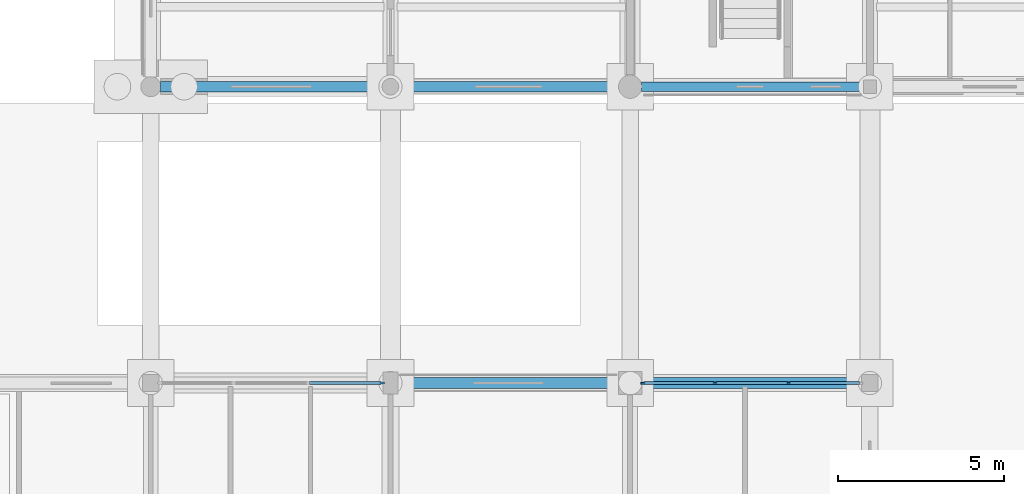
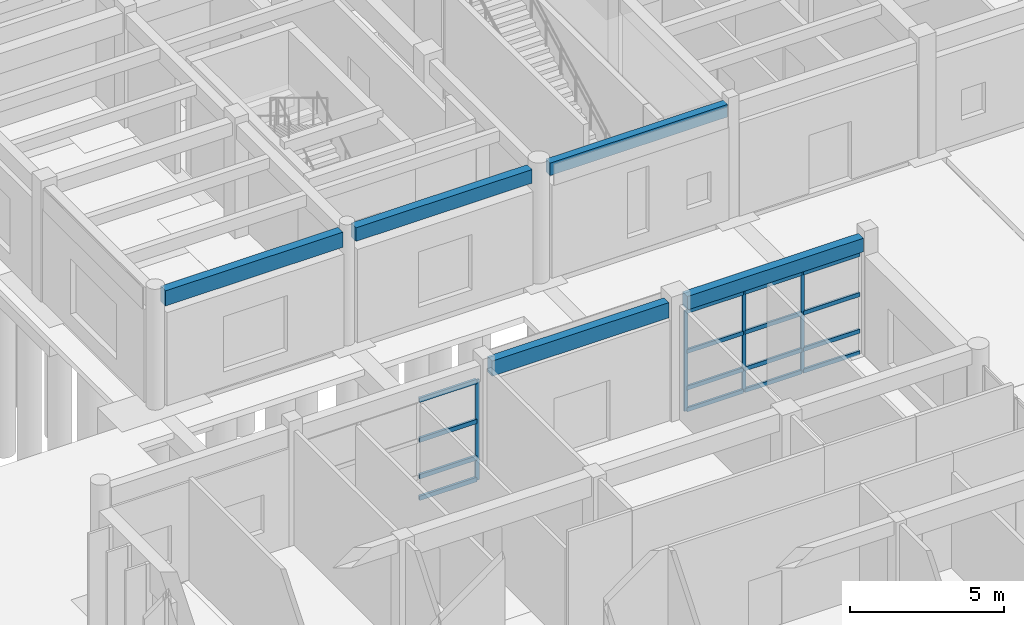
# One storey, part 36 of 143: 20 members, 5 beams, 2 elements without a shape of their own.
"""IFC4 building model written with IfcOpenShell, lengths in metres."""

import ifcopenshell
import ifcopenshell.guid

model = None  # the IFC model being written
_history = None  # IfcOwnerHistory: only IFC2X3 demands one
_inside = {}  # id of a spatial element -> (the spatial element, [elements in it])
_under = {}  # id of a project, library or spatial element -> (it, [spatial elements below it])
_declared = {}  # id of a project -> (the project, [libraries it declares])
_typed = {}  # id of a type object -> (the type object, [elements of that type])
_made_of = {}  # id of a material, layer set ... -> (it, [elements and type objects made of it])


def new_model(schema):
    """Start an empty IFC model of exactly this schema.

    Asked for "IFC4X3", IfcOpenShell would pick the latest addendum, in which some entities
    have other attributes; the version numbers below select the first issue.
    IFC2X3 requires an IfcOwnerHistory on every rooted entity: one is made here for all.
    """
    global model, _history
    if schema == "IFC4X3":
        model = ifcopenshell.file(schema_version=(4, 3, 0, 0))
    else:
        model = ifcopenshell.file(schema=schema)
    _inside.clear()
    _under.clear()
    _declared.clear()
    _typed.clear()
    _made_of.clear()
    _history = None
    if model.schema == "IFC2X3":
        org = make("IfcOrganization", Name="unknown")
        user = make(
            "IfcPersonAndOrganization",
            ThePerson=make("IfcPerson", FamilyName="unknown"),
            TheOrganization=org,
        )
        app = make(
            "IfcApplication",
            ApplicationDeveloper=org,
            Version="unknown",
            ApplicationFullName="unknown",
            ApplicationIdentifier="unknown",
        )
        _history = make(
            "IfcOwnerHistory",
            OwningUser=user,
            OwningApplication=app,
            ChangeAction="ADDED",
            CreationDate=0,
        )
    return model


def make(cls, **values):
    """One entity of the class cls with the attributes given. An attribute that is None is left unset."""
    return model.create_entity(
        cls, **{name: value for name, value in values.items() if value is not None}
    )


def rooted(cls, **values):
    """An entity with a GlobalId (a new one), such as an element, a storey or a relation."""
    return make(cls, GlobalId=ifcopenshell.guid.new(), OwnerHistory=_history, **values)


def si_unit(unit_type, name, prefix=None):
    """IfcSIUnit, for example si_unit("LENGTHUNIT", "METRE", prefix="MILLI")."""
    return make("IfcSIUnit", UnitType=unit_type, Prefix=prefix, Name=name)


def assignment(units):
    """IfcUnitAssignment: the units of a project."""
    return None if units is None else make("IfcUnitAssignment", Units=units)


def point(xyz):
    """IfcCartesianPoint."""
    return None if xyz is None else make("IfcCartesianPoint", Coordinates=xyz)


def direction(xyz):
    """IfcDirection."""
    return None if xyz is None else make("IfcDirection", DirectionRatios=xyz)


def frame(location, z_axis=None, x_axis=None):
    """IfcAxis2Placement3D, a coordinate frame: its origin and axes. An axis left out is left unset."""
    return make(
        "IfcAxis2Placement3D",
        Location=point(location),
        Axis=direction(z_axis),
        RefDirection=direction(x_axis),
    )


def frame_2d(location, x_axis=None):
    """IfcAxis2Placement2D, a coordinate frame in the plane: its origin and x axis."""
    return make(
        "IfcAxis2Placement2D", Location=point(location), RefDirection=direction(x_axis)
    )


def origin():
    """The frame at (0, 0, 0) with its axes left unset."""
    return frame((0.0, 0.0, 0.0))


def origin_2d():
    """The frame at (0, 0) in the plane with its x axis left unset."""
    return frame_2d((0.0, 0.0))


def place(relative_to, where):
    """IfcLocalPlacement: puts the frame where relative to a parent placement (None: the world)."""
    return make(
        "IfcLocalPlacement", PlacementRelTo=relative_to, RelativePlacement=where
    )


def context(
    kind, dimensions, precision=None, world=None, true_north=None, identifier=None
):
    """IfcGeometricRepresentationContext, for example the 3D "Model" context."""
    return make(
        "IfcGeometricRepresentationContext",
        ContextIdentifier=identifier,
        ContextType=kind,
        CoordinateSpaceDimension=dimensions,
        Precision=precision,
        WorldCoordinateSystem=world,
        TrueNorth=true_north,
    )


def subcontext(parent, identifier, kind, view, scale=None):
    """IfcGeometricRepresentationSubContext, for example "Body" below "Model"."""
    return make(
        "IfcGeometricRepresentationSubContext",
        ContextIdentifier=identifier,
        ContextType=kind,
        ParentContext=parent,
        TargetScale=scale,
        TargetView=view,
    )


def project(units=None, contexts=None):
    """IfcProject with its units and contexts."""
    return rooted(
        "IfcProject",
        Name="project",
        RepresentationContexts=contexts,
        UnitsInContext=assignment(units),
    )


def spatial(cls, under=None, at=None, **own):
    """A site, building, storey or space (cls), placed at a placement, below another one or the project."""
    s = rooted(cls, ObjectPlacement=at, **own)
    if under is not None:
        _under.setdefault(under.id(), (under, []))[1].append(s)
    return s


def profile(cls, at=None, kind="AREA", **sizes):
    """A parametric profile (cls). Its sizes go by their IFC names, for example OverallWidth=200.0."""
    return make(cls, ProfileType=kind, Position=at, **sizes)


def rectangle(**sizes):
    """IfcRectangleProfileDef."""
    return profile("IfcRectangleProfileDef", **sizes)


def extrude(swept, where, along, depth):
    """IfcExtrudedAreaSolid: the profile swept, set in the frame where, extruded along a direction by depth."""
    return make(
        "IfcExtrudedAreaSolid",
        SweptArea=swept,
        Position=where,
        ExtrudedDirection=direction(along),
        Depth=depth,
    )


def shape(context_of_items, identifier, shape_type, items):
    """IfcShapeRepresentation: the items that make up one representation, for example the "Body"."""
    return make(
        "IfcShapeRepresentation",
        ContextOfItems=context_of_items,
        RepresentationIdentifier=identifier,
        RepresentationType=shape_type,
        Items=items,
    )


def material(Name=None, Category=None):
    """IfcMaterial."""
    return make("IfcMaterial", Name=Name, Category=Category)


def material_profile(
    of_material, cross_section, Name=None, Category=None, Priority=None
):
    """IfcMaterialProfile: a cross section and its material."""
    return make(
        "IfcMaterialProfile",
        Name=Name,
        Material=of_material,
        Profile=cross_section,
        Priority=Priority,
        Category=Category,
    )


def profile_set(profiles, Name=None, composite=None):
    """IfcMaterialProfileSet."""
    return make(
        "IfcMaterialProfileSet",
        Name=Name,
        MaterialProfiles=profiles,
        CompositeProfile=composite,
    )


def made_of(thing, what):
    """Note that an element or type object is made of a material, layer set ...; save() writes the relation."""
    if what is not None:
        _made_of.setdefault(what.id(), (what, []))[1].append(thing)
    return thing


def type_object(cls, material=None, **own):
    """A type object (cls), such as IfcWallType, which elements share."""
    return made_of(rooted(cls, **own), material)


def element(
    cls,
    number,
    at=None,
    inside=None,
    cuts=None,
    type_object=None,
    material=None,
    context=None,
    identifier="Body",
    shape_type=None,
    held_by="IfcProductDefinitionShape",
    body=None,
    shapes=None,
    **own,
):
    """One element of the class cls, such as IfcWall. Its Tag is "e" and its number.

    at: its placement. inside: the storey or other place that contains it. cuts: it is an
    opening in that element (IfcRelVoidsElement). A single representation is given by context,
    identifier, shape_type and body (its items); several are given by shapes. held_by: the class
    of the entity that holds the representations. save() writes the other relations.
    """
    e = rooted(cls, Tag="e%d" % number, ObjectPlacement=at, **own)
    if body is not None:
        shapes = [shape(context, identifier, shape_type, body)]
    if shapes is not None:
        e.Representation = make(held_by, Representations=shapes)
    if inside is not None:
        _inside.setdefault(inside.id(), (inside, []))[1].append(e)
    if cuts is not None:
        rooted(
            "IfcRelVoidsElement", RelatingBuildingElement=cuts, RelatedOpeningElement=e
        )
    if type_object is not None:
        _typed.setdefault(type_object.id(), (type_object, []))[1].append(e)
    return made_of(e, material)


def aggregate(whole, parts):
    """IfcRelAggregates: a whole, such as a stair, and the parts it consists of."""
    return rooted("IfcRelAggregates", RelatingObject=whole, RelatedObjects=parts)


def save(model, path):
    """Write the relations noted so far, then the file.

    IfcRelAggregates (storeys below a building ...), IfcRelContainedInSpatialStructure (elements
    in a storey), IfcRelDefinesByType, IfcRelAssociatesMaterial and IfcRelDeclares: one each for
    every whole, place, type object, material and project.
    """
    for whole, parts in _under.values():
        aggregate(whole, parts)
    for where, things in _inside.values():
        rooted(
            "IfcRelContainedInSpatialStructure",
            RelatedElements=things,
            RelatingStructure=where,
        )
    for kind, things in _typed.values():
        rooted("IfcRelDefinesByType", RelatedObjects=things, RelatingType=kind)
    for what, things in _made_of.values():
        rooted("IfcRelAssociatesMaterial", RelatedObjects=things, RelatingMaterial=what)
    for by, libraries in _declared.values():
        rooted("IfcRelDeclares", RelatingContext=by, RelatedDefinitions=libraries)
    model.write(path)


model = new_model("IFC4")

# Units and contexts
model_context = context("Model", 3, precision=1e-05, world=origin(), true_north=direction((0.0, 1.0)))
body_context = subcontext(model_context, "Body", "Model", "MODEL_VIEW")
ifc_project = project(units=[si_unit("LENGTHUNIT", "METRE"), si_unit("AREAUNIT", "SQUARE_METRE"), si_unit("VOLUMEUNIT", "CUBIC_METRE"), si_unit("PLANEANGLEUNIT", "RADIAN"), si_unit("MASSUNIT", "GRAM", prefix="KILO")], contexts=[model_context])

# Site, building, storey
site_placement = place(None, origin())
site = spatial("IfcSite", under=ifc_project, at=site_placement, CompositionType="ELEMENT")
building_placement = place(site_placement, origin())
building = spatial("IfcBuilding", under=site, at=building_placement, Name="Steenspoor Specialist Clinic", CompositionType="ELEMENT")
storey_placement = place(building_placement, origin())
storey = spatial("IfcBuildingStorey", under=building, at=storey_placement, Name="L00", CompositionType="ELEMENT", Elevation=0.0)

# Curtain wall, members
ifc_material_1 = material(Name="Thermally broken aluminium and low-emissivity glass", Category="aluminium")
curtain_wall_type_1 = type_object("IfcCurtainWallType", Name="CW-TYP-240X355", PredefinedType="USERDEFINED", material=ifc_material_1)
curtain_wall_1_placement = place(storey_placement, origin())
curtain_wall_1 = element("IfcCurtainWall", 1, at=curtain_wall_1_placement, inside=storey, type_object=curtain_wall_type_1, Name="Unitised Curtain Wall CW-V3-L00-040", ObjectType="UNITISED GLAZING", PredefinedType="USERDEFINED")
ifc_material_2 = material(Name="Thermally broken aluminium 6063-T6", Category="aluminium")
ifc_material_profile_1 = material_profile(ifc_material_2, rectangle(XDim=0.06005859375, YDim=0.135009765625, at=origin_2d()), Name="CWM-60X135")
ifc_profile_set_1 = profile_set([ifc_material_profile_1], Name="Thermally broken aluminium 6063-T6")
member_type_1 = type_object("IfcMemberType", Name="CW-MULL-60X135", PredefinedType="MULLION", material=ifc_profile_set_1)
member_1_placement = place(storey_placement, frame((30.3798828125, 56.25, 0.0), z_axis=(0.0, 0.0, 1.0), x_axis=(0.0, 1.0, 0.0)))
member_1 = element("IfcMember", 2, at=member_1_placement, type_object=member_type_1, Name="CW-16 mullion 1", PredefinedType="MULLION", context=body_context, shape_type="SweptSolid", body=[
    extrude(rectangle(XDim=0.06005859375, YDim=0.135009765625, at=origin_2d()), origin(), (0.0, 0.0, 1.0), 3.97998046875),
])
member_2_placement = place(storey_placement, frame((32.550048828125, 56.25, 0.0), z_axis=(0.0, 0.0, 1.0), x_axis=(0.0, 1.0, 0.0)))
member_2 = element("IfcMember", 3, at=member_2_placement, type_object=member_type_1, Name="CW-16 mullion 2", PredefinedType="MULLION", context=body_context, shape_type="SweptSolid", body=[
    extrude(rectangle(XDim=0.06005859375, YDim=0.135009765625, at=origin_2d()), origin(), (0.0, 0.0, 1.0), 3.97998046875),
])
member_3_placement = place(storey_placement, frame((34.75, 56.25, 0.0), z_axis=(0.0, 0.0, 1.0), x_axis=(0.0, 1.0, 0.0)))
member_3 = element("IfcMember", 4, at=member_3_placement, type_object=member_type_1, Name="CW-16 mullion 3", PredefinedType="MULLION", context=body_context, shape_type="SweptSolid", body=[
    extrude(rectangle(XDim=0.06005859375, YDim=0.135009765625, at=origin_2d()), origin(), (0.0, 0.0, 1.0), 3.97998046875),
])

# Curtain wall, member
curtain_wall_type_2 = type_object("IfcCurtainWallType", Name="CW-TYP-300X355", PredefinedType="USERDEFINED", material=ifc_material_1)
curtain_wall_2_placement = place(storey_placement, origin())
curtain_wall_2 = element("IfcCurtainWall", 5, at=curtain_wall_2_placement, inside=storey, type_object=curtain_wall_type_2, Name="Unitised Curtain Wall CW-V3-L00-039", ObjectType="UNITISED GLAZING", PredefinedType="USERDEFINED")
ifc_material_profile_2 = material_profile(ifc_material_2, rectangle(XDim=0.06494140625, YDim=0.14990234375, at=origin_2d()), Name="CWM-65X150")
ifc_profile_set_2 = profile_set([ifc_material_profile_2], Name="Thermally broken aluminium 6063-T6")
member_type_2 = type_object("IfcMemberType", Name="CW-MULL-65X150", PredefinedType="MULLION", material=ifc_profile_set_2)
member_4_placement = place(storey_placement, frame((22.54248046875, 56.25, 0.0), z_axis=(0.0, 0.0, 1.0), x_axis=(0.0, 1.0, 0.0)))
member_4 = element("IfcMember", 6, at=member_4_placement, type_object=member_type_2, Name="CW-15 mullion 4", PredefinedType="MULLION", context=body_context, shape_type="SweptSolid", body=[
    extrude(rectangle(XDim=0.06494140625, YDim=0.14990234375, at=origin_2d()), origin(), (0.0, 0.0, 1.0), 3.97998046875),
])

# Member
ifc_material_profile_3 = material_profile(ifc_material_2, rectangle(XDim=0.080078125, YDim=0.159912109375, at=origin_2d()), Name="CWT-80X160")
ifc_profile_set_3 = profile_set([ifc_material_profile_3], Name="Thermally broken aluminium 6063-T6")
member_type_3 = type_object("IfcMemberType", Name="CW-TRAN-80X160", PredefinedType="USERDEFINED", material=ifc_profile_set_3)
member_5_placement = place(storey_placement, frame((30.409912109375, 56.25, 0.0400390625), z_axis=(1.0, 0.0, 0.0), x_axis=(0.0, 1.0, 0.0)))
member_5 = element("IfcMember", 7, at=member_5_placement, type_object=member_type_3, Name="CW-16 transom 1.1", ObjectType="TRANSOM", PredefinedType="USERDEFINED", context=body_context, shape_type="SweptSolid", body=[
    extrude(rectangle(XDim=0.080078125, YDim=0.159912109375, at=origin_2d()), origin(), (0.0, 0.0, 1.0), 2.110107421875),
])

member_6_placement = place(storey_placement, frame((30.409912109375, 56.25, 0.89990234375), z_axis=(1.0, 0.0, 0.0), x_axis=(0.0, 1.0, 0.0)))
member_6 = element("IfcMember", 8, at=member_6_placement, type_object=member_type_3, Name="CW-16 transom 1.2", ObjectType="TRANSOM", PredefinedType="USERDEFINED", context=body_context, shape_type="SweptSolid", body=[
    extrude(rectangle(XDim=0.080078125, YDim=0.159912109375, at=origin_2d()), origin(), (0.0, 0.0, 1.0), 2.110107421875),
])

member_7_placement = place(storey_placement, frame((30.409912109375, 56.25, 2.35009765625), z_axis=(1.0, 0.0, 0.0), x_axis=(0.0, 1.0, 0.0)))
member_7 = element("IfcMember", 9, at=member_7_placement, type_object=member_type_3, Name="CW-16 transom 1.3", ObjectType="TRANSOM", PredefinedType="USERDEFINED", context=body_context, shape_type="SweptSolid", body=[
    extrude(rectangle(XDim=0.080078125, YDim=0.159912109375, at=origin_2d()), origin(), (0.0, 0.0, 1.0), 2.110107421875),
])

member_8_placement = place(storey_placement, frame((30.409912109375, 56.25, 3.93994140625), z_axis=(1.0, 0.0, 0.0), x_axis=(0.0, 1.0, 0.0)))
member_8 = element("IfcMember", 10, at=member_8_placement, type_object=member_type_3, Name="CW-16 transom 1.4", ObjectType="TRANSOM", PredefinedType="USERDEFINED", context=body_context, shape_type="SweptSolid", body=[
    extrude(rectangle(XDim=0.080078125, YDim=0.159912109375, at=origin_2d()), origin(), (0.0, 0.0, 1.0), 2.110107421875),
])

member_9_placement = place(storey_placement, frame((32.580078125, 56.25, 0.0400390625), z_axis=(1.0, 0.0, 0.0), x_axis=(0.0, 1.0, 0.0)))
member_9 = element("IfcMember", 11, at=member_9_placement, type_object=member_type_3, Name="CW-16 transom 2.1", ObjectType="TRANSOM", PredefinedType="USERDEFINED", context=body_context, shape_type="SweptSolid", body=[
    extrude(rectangle(XDim=0.080078125, YDim=0.159912109375, at=origin_2d()), origin(), (0.0, 0.0, 1.0), 2.139892578125),
])

member_10_placement = place(storey_placement, frame((32.580078125, 56.25, 0.89990234375), z_axis=(1.0, 0.0, 0.0), x_axis=(0.0, 1.0, 0.0)))
member_10 = element("IfcMember", 12, at=member_10_placement, type_object=member_type_3, Name="CW-16 transom 2.2", ObjectType="TRANSOM", PredefinedType="USERDEFINED", context=body_context, shape_type="SweptSolid", body=[
    extrude(rectangle(XDim=0.080078125, YDim=0.159912109375, at=origin_2d()), origin(), (0.0, 0.0, 1.0), 2.139892578125),
])

member_11_placement = place(storey_placement, frame((32.580078125, 56.25, 2.35009765625), z_axis=(1.0, 0.0, 0.0), x_axis=(0.0, 1.0, 0.0)))
member_11 = element("IfcMember", 13, at=member_11_placement, type_object=member_type_3, Name="CW-16 transom 2.3", ObjectType="TRANSOM", PredefinedType="USERDEFINED", context=body_context, shape_type="SweptSolid", body=[
    extrude(rectangle(XDim=0.080078125, YDim=0.159912109375, at=origin_2d()), origin(), (0.0, 0.0, 1.0), 2.139892578125),
])

member_12_placement = place(storey_placement, frame((32.580078125, 56.25, 3.93994140625), z_axis=(1.0, 0.0, 0.0), x_axis=(0.0, 1.0, 0.0)))
member_12 = element("IfcMember", 14, at=member_12_placement, type_object=member_type_3, Name="CW-16 transom 2.4", ObjectType="TRANSOM", PredefinedType="USERDEFINED", context=body_context, shape_type="SweptSolid", body=[
    extrude(rectangle(XDim=0.080078125, YDim=0.159912109375, at=origin_2d()), origin(), (0.0, 0.0, 1.0), 2.139892578125),
])

member_13_placement = place(storey_placement, frame((34.780029296875, 56.25, 0.0400390625), z_axis=(1.0, 0.0, 0.0), x_axis=(0.0, 1.0, 0.0)))
member_13 = element("IfcMember", 15, at=member_13_placement, type_object=member_type_3, Name="CW-16 transom 3.1", ObjectType="TRANSOM", PredefinedType="USERDEFINED", context=body_context, shape_type="SweptSolid", body=[
    extrude(rectangle(XDim=0.080078125, YDim=0.159912109375, at=origin_2d()), origin(), (0.0, 0.0, 1.0), 2.10986328125),
])

member_14_placement = place(storey_placement, frame((34.780029296875, 56.25, 0.89990234375), z_axis=(1.0, 0.0, 0.0), x_axis=(0.0, 1.0, 0.0)))
member_14 = element("IfcMember", 16, at=member_14_placement, type_object=member_type_3, Name="CW-16 transom 3.2", ObjectType="TRANSOM", PredefinedType="USERDEFINED", context=body_context, shape_type="SweptSolid", body=[
    extrude(rectangle(XDim=0.080078125, YDim=0.159912109375, at=origin_2d()), origin(), (0.0, 0.0, 1.0), 2.10986328125),
])

member_15_placement = place(storey_placement, frame((34.780029296875, 56.25, 2.35009765625), z_axis=(1.0, 0.0, 0.0), x_axis=(0.0, 1.0, 0.0)))
member_15 = element("IfcMember", 17, at=member_15_placement, type_object=member_type_3, Name="CW-16 transom 3.3", ObjectType="TRANSOM", PredefinedType="USERDEFINED", context=body_context, shape_type="SweptSolid", body=[
    extrude(rectangle(XDim=0.080078125, YDim=0.159912109375, at=origin_2d()), origin(), (0.0, 0.0, 1.0), 2.10986328125),
])

member_16_placement = place(storey_placement, frame((34.780029296875, 56.25, 3.93994140625), z_axis=(1.0, 0.0, 0.0), x_axis=(0.0, 1.0, 0.0)))
member_16 = element("IfcMember", 18, at=member_16_placement, type_object=member_type_3, Name="CW-16 transom 3.4", ObjectType="TRANSOM", PredefinedType="USERDEFINED", context=body_context, shape_type="SweptSolid", body=[
    extrude(rectangle(XDim=0.080078125, YDim=0.159912109375, at=origin_2d()), origin(), (0.0, 0.0, 1.0), 2.10986328125),
])

aggregate(curtain_wall_1, [member_1, member_2, member_3, member_5, member_6, member_7, member_8, member_9, member_10, member_11, member_12, member_13, member_14, member_15, member_16])

ifc_material_profile_4 = material_profile(ifc_material_2, rectangle(XDim=0.090087890625, YDim=0.175048828125, at=origin_2d()), Name="CWT-90X175")
ifc_profile_set_4 = profile_set([ifc_material_profile_4], Name="Thermally broken aluminium 6063-T6")
member_type_4 = type_object("IfcMemberType", Name="CW-TRAN-90X175", PredefinedType="USERDEFINED", material=ifc_profile_set_4)
member_17_placement = place(storey_placement, frame((20.36572265625, 56.25, 0.044921875), z_axis=(1.0, 0.0, 0.0), x_axis=(0.0, 1.0, 0.0)))
member_17 = element("IfcMember", 19, at=member_17_placement, type_object=member_type_4, Name="CW-15 transom 3.1", ObjectType="TRANSOM", PredefinedType="USERDEFINED", context=body_context, shape_type="SweptSolid", body=[
    extrude(rectangle(XDim=0.090087890625, YDim=0.175048828125, at=origin_2d()), origin(), (0.0, 0.0, 1.0), 2.144287109375),
])

member_18_placement = place(storey_placement, frame((20.36572265625, 56.25, 0.89990234375), z_axis=(1.0, 0.0, 0.0), x_axis=(0.0, 1.0, 0.0)))
member_18 = element("IfcMember", 20, at=member_18_placement, type_object=member_type_4, Name="CW-15 transom 3.2", ObjectType="TRANSOM", PredefinedType="USERDEFINED", context=body_context, shape_type="SweptSolid", body=[
    extrude(rectangle(XDim=0.090087890625, YDim=0.175048828125, at=origin_2d()), origin(), (0.0, 0.0, 1.0), 2.144287109375),
])

member_19_placement = place(storey_placement, frame((20.36572265625, 56.25, 2.35009765625), z_axis=(1.0, 0.0, 0.0), x_axis=(0.0, 1.0, 0.0)))
member_19 = element("IfcMember", 21, at=member_19_placement, type_object=member_type_4, Name="CW-15 transom 3.3", ObjectType="TRANSOM", PredefinedType="USERDEFINED", context=body_context, shape_type="SweptSolid", body=[
    extrude(rectangle(XDim=0.090087890625, YDim=0.175048828125, at=origin_2d()), origin(), (0.0, 0.0, 1.0), 2.144287109375),
])

member_20_placement = place(storey_placement, frame((20.36572265625, 56.25, 3.93505859375), z_axis=(1.0, 0.0, 0.0), x_axis=(0.0, 1.0, 0.0)))
member_20 = element("IfcMember", 22, at=member_20_placement, type_object=member_type_4, Name="CW-15 transom 3.4", ObjectType="TRANSOM", PredefinedType="USERDEFINED", context=body_context, shape_type="SweptSolid", body=[
    extrude(rectangle(XDim=0.090087890625, YDim=0.175048828125, at=origin_2d()), origin(), (0.0, 0.0, 1.0), 2.144287109375),
])

aggregate(curtain_wall_2, [member_4, member_17, member_18, member_19, member_20])

# Beams
ifc_material_3 = material(Name="Concrete C35/45", Category="concrete")
ifc_material_profile_5 = material_profile(ifc_material_3, rectangle(XDim=0.280029296875, YDim=0.5, at=origin_2d()), Name="RC-SP-280X500")
ifc_profile_set_5 = profile_set([ifc_material_profile_5], Name="Concrete C35/45")
beam_type_1 = type_object("IfcBeamType", Name="SP-RC-280X500", PredefinedType="SPANDREL", material=ifc_profile_set_5)
beam_1_placement = place(storey_placement, frame((30.344970703125, 65.14990234375, 4.27001953125), z_axis=(1.0, 0.0, 0.0), x_axis=(0.0, 1.0, 0.0)))
element("IfcBeam", 23, at=beam_1_placement, inside=storey, type_object=beam_type_1, Name="BM-V5-L00-X1054", PredefinedType="SPANDREL", context=body_context, shape_type="SweptSolid", body=[
    extrude(rectangle(XDim=0.280029296875, YDim=0.5, at=origin_2d()), origin(), (0.0, 0.0, 1.0), 6.659912109375),
])
ifc_material_profile_6 = material_profile(ifc_material_3, rectangle(XDim=0.320068359375, YDim=0.5400390625, at=origin_2d()), Name="RC-SP-320X540")
ifc_profile_set_6 = profile_set([ifc_material_profile_6], Name="Concrete C35/45")
beam_type_2 = type_object("IfcBeamType", Name="SP-RC-320X540", PredefinedType="SPANDREL", material=ifc_profile_set_6)
for number, where, z_axis, x_axis, name in (
    (24, (30.344970703125, 56.25, 4.364990234375), (1.0, 0.0, 0.0), (0.0, 1.0, 0.0), "BM-V3-L00-X0285"),
    (25, (23.044921875, 65.14990234375, 4.25), (1.0, 0.0, 0.0), (0.0, 1.0, 0.0), "BM-V5-L00-X1053"),
):
    element("IfcBeam", number, at=place(storey_placement, frame(where, z_axis=z_axis, x_axis=x_axis)), inside=storey, type_object=beam_type_2, Name=name, PredefinedType="SPANDREL", context=body_context, shape_type="SweptSolid", body=[
        extrude(rectangle(XDim=0.320068359375, YDim=0.5400390625, at=origin_2d()), origin(), (0.0, 0.0, 1.0), 6.610107421875),
    ])
ifc_material_profile_7 = material_profile(ifc_material_3, rectangle(XDim=0.320068359375, YDim=0.60009765625, at=origin_2d()), Name="RC-SP-320X600")
ifc_profile_set_7 = profile_set([ifc_material_profile_7], Name="Concrete C35/45")
beam_type_3 = type_object("IfcBeamType", Name="SP-RC-320X600", PredefinedType="SPANDREL", material=ifc_profile_set_7)
beam_2_placement = place(storey_placement, frame((23.02001953125, 56.25, 4.3349609375), z_axis=(1.0, 0.0, 0.0), x_axis=(0.0, 1.0, 0.0)))
element("IfcBeam", 26, at=beam_2_placement, inside=storey, type_object=beam_type_3, Name="BM-V3-L00-X0284", PredefinedType="SPANDREL", context=body_context, shape_type="SweptSolid", body=[
    extrude(rectangle(XDim=0.320068359375, YDim=0.60009765625, at=origin_2d()), origin(), (0.0, 0.0, 1.0), 6.635009765625),
])
beam_3_placement = place(storey_placement, frame((15.89501953125, 65.14990234375, 4.219970703125), z_axis=(1.0, 0.0, 0.0), x_axis=(0.0, 1.0, 0.0)))
element("IfcBeam", 27, at=beam_3_placement, inside=storey, type_object=beam_type_3, Name="BM-V5-L00-X1052", PredefinedType="SPANDREL", context=body_context, shape_type="SweptSolid", body=[
    extrude(rectangle(XDim=0.320068359375, YDim=0.60009765625, at=origin_2d()), origin(), (0.0, 0.0, 1.0), 6.659912109375),
])

save(model, "model.ifc")
